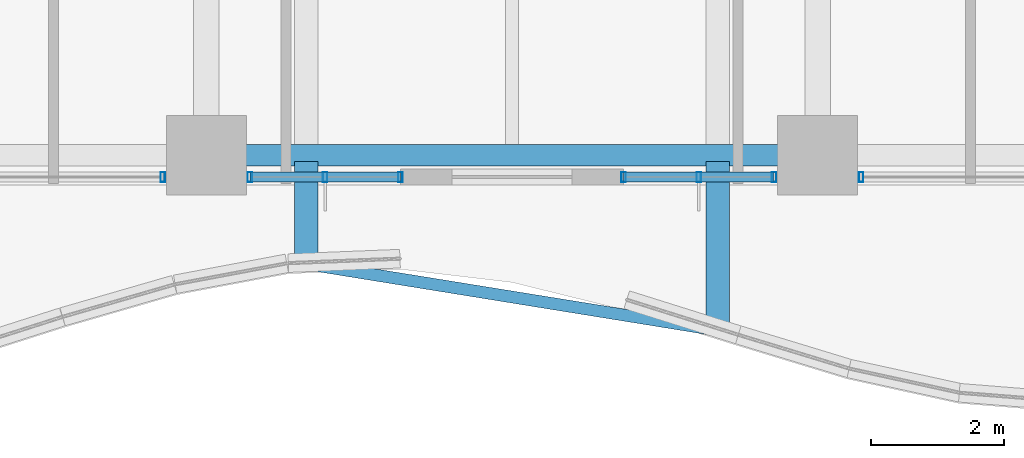
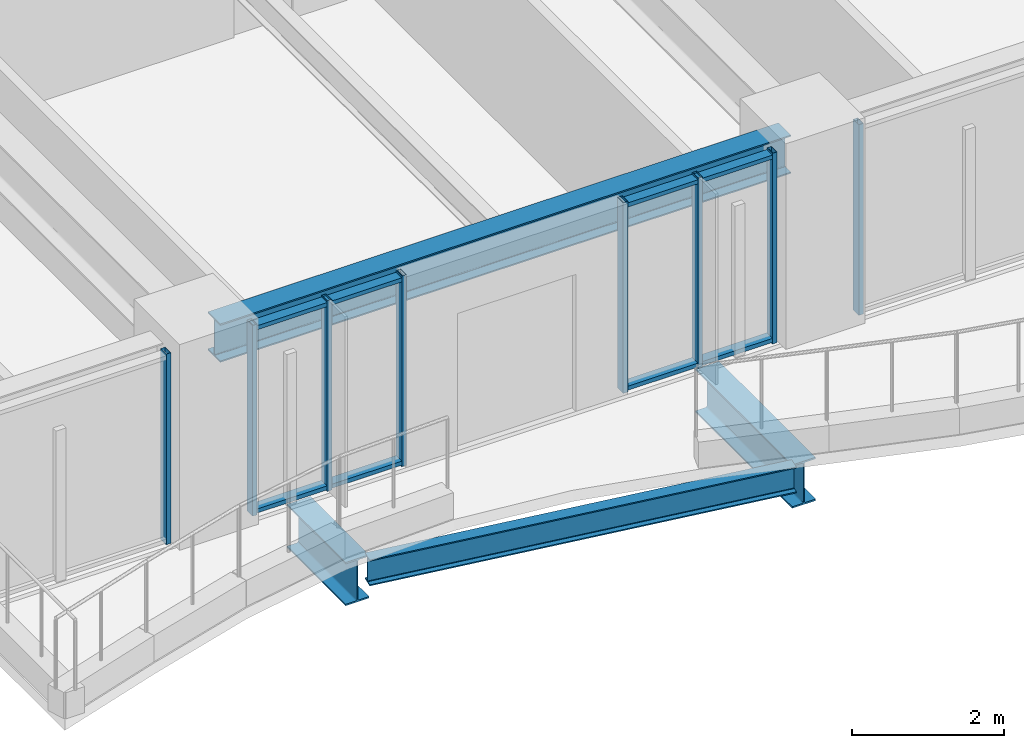
# One storey, part 5 of 38: 12 members, 4 beams, 4 elements without a shape of their own.
"""IFC4 building model written with IfcOpenShell, lengths in metres."""

from ifc_helpers import new_model, si_unit, direction, frame, origin, origin_2d, place, context, subcontext, project, spatial, hollow_rectangle, i_section, extrude, material, material_profile, profile_set, type_object, element, aggregate, save


model = new_model("IFC4")

# Units and contexts
model_context = context("Model", 3, precision=1e-05, world=origin(), true_north=direction((0.0, 1.0)))
body_context = subcontext(model_context, "Body", "Model", "MODEL_VIEW")
ifc_project = project(units=[si_unit("LENGTHUNIT", "METRE"), si_unit("AREAUNIT", "SQUARE_METRE"), si_unit("VOLUMEUNIT", "CUBIC_METRE"), si_unit("PLANEANGLEUNIT", "RADIAN"), si_unit("MASSUNIT", "GRAM", prefix="KILO")], contexts=[model_context])

# Site, building, storey
site_placement = place(None, origin())
site = spatial("IfcSite", under=ifc_project, at=site_placement, CompositionType="ELEMENT")
building_placement = place(site_placement, origin())
building = spatial("IfcBuilding", under=site, at=building_placement, Name="Kolvaren Belvedere", CompositionType="ELEMENT")
storey_placement = place(building_placement, frame((0.0, 0.0, 27.10009765625)))
storey = spatial("IfcBuildingStorey", under=building, at=storey_placement, Name="L07", CompositionType="ELEMENT", Elevation=27.10009765625)

# Beams
ifc_material_1 = material(Name="Structural steel ASTM A992 Grade 50", Category="steel")
ifc_material_profile_1 = material_profile(ifc_material_1, i_section(OverallWidth=0.35498046875, OverallDepth=0.696044921875, WebThickness=0.015380859375, FlangeThickness=0.02490234375, FilletRadius=0.02197265625, at=origin_2d()), Name="W27X146")
ifc_profile_set_1 = profile_set([ifc_material_profile_1], Name="Structural steel ASTM A992 Grade 50")
beam_type_1 = type_object("IfcBeamType", Name="BM-CANT-BAL", PredefinedType="BEAM", material=ifc_profile_set_1)
beam_1_placement = place(storey_placement, frame((-3.10009765625, -21.64501953125, -0.588134765625), z_axis=(0.0, -1.0, 0.0), x_axis=(1.0, 0.0, 0.0)))
element("IfcBeam", 1, at=beam_1_placement, inside=storey, type_object=beam_type_1, Name="L07 Planted Balcony Cantilever BAL-S-1", PredefinedType="BEAM", context=body_context, shape_type="SweptSolid", body=[
    extrude(i_section(OverallWidth=0.35498046875, OverallDepth=0.696044921875, WebThickness=0.015380859375, FlangeThickness=0.02490234375, FilletRadius=0.02197265625, at=origin_2d()), origin(), (0.0, 0.0, 1.0), 1.540283203125),
])
beam_2_placement = place(storey_placement, frame((3.10009765625, -21.64501953125, -0.588134765625), z_axis=(0.0, -1.0, 0.0), x_axis=(1.0, 0.0, 0.0)))
element("IfcBeam", 2, at=beam_2_placement, inside=storey, type_object=beam_type_1, Name="L07 Planted Balcony Cantilever BAL-S-2", PredefinedType="BEAM", context=body_context, shape_type="SweptSolid", body=[
    extrude(i_section(OverallWidth=0.35498046875, OverallDepth=0.696044921875, WebThickness=0.015380859375, FlangeThickness=0.02490234375, FilletRadius=0.02197265625, at=origin_2d()), origin(), (0.0, 0.0, 1.0), 2.541259765625),
])
ifc_material_2 = material(Name="Structural steel ASTM A992 Grade 50", Category="steel")
ifc_material_profile_2 = material_profile(ifc_material_2, i_section(OverallWidth=0.180908203125, OverallDepth=0.4169921875, WebThickness=0.010986328125, FlangeThickness=0.018310546875, FilletRadius=0.013916015625, at=origin_2d()), Name="W16X57")
ifc_profile_set_2 = profile_set([ifc_material_profile_2], Name="Structural steel ASTM A992 Grade 50")
beam_type_2 = type_object("IfcBeamType", Name="BM-EDGE-W16X57", PredefinedType="BEAM", material=ifc_profile_set_2)
beam_3_placement = place(storey_placement, frame((-2.9619140625, -23.207763671875, -0.448486328125), z_axis=(0.9872254354, -0.159329657312, 0.0), x_axis=(0.159329657312, 0.9872254354, 0.0)))
element("IfcBeam", 3, at=beam_3_placement, inside=storey, type_object=beam_type_2, Name="L07 Balcony Tip Header Beam BAL-S", PredefinedType="BEAM", context=body_context, shape_type="SweptSolid", body=[
    extrude(i_section(OverallWidth=0.180908203125, OverallDepth=0.4169921875, WebThickness=0.010986328125, FlangeThickness=0.018310546875, FilletRadius=0.013916015625, at=origin_2d()), origin(), (0.0, 0.0, 1.0), 6.00048828125),
])
ifc_material_3 = material(Name="Structural steel ASTM A992 Grade 50", Category="steel")
ifc_material_profile_3 = material_profile(ifc_material_3, i_section(OverallWidth=0.324951171875, OverallDepth=0.615966796875, WebThickness=0.013916015625, FlangeThickness=0.021484375, FilletRadius=0.02001953125, at=origin_2d()), Name="W24X117")
ifc_profile_set_3 = profile_set([ifc_material_profile_3], Name="Structural steel ASTM A992 Grade 50")
beam_type_3 = type_object("IfcBeamType", Name="BM-SPAN-W24X117", PredefinedType="SPANDREL", material=ifc_profile_set_3)
beam_4_placement = place(storey_placement, frame((-4.330078125, -21.550048828125, 2.751953125), z_axis=(1.0, 0.0, 0.0), x_axis=(0.0, 1.0, 0.0)))
element("IfcBeam", 4, at=beam_4_placement, inside=storey, type_object=beam_type_3, Name="L07 Perimeter Spandrel S2-S3", PredefinedType="SPANDREL", context=body_context, shape_type="SweptSolid", body=[
    extrude(i_section(OverallWidth=0.324951171875, OverallDepth=0.615966796875, WebThickness=0.013916015625, FlangeThickness=0.021484375, FilletRadius=0.02001953125, at=origin_2d()), origin(), (0.0, 0.0, 1.0), 8.66015625),
])

# Curtain wall, member
ifc_material_4 = material(Name="Anodised pale-metal aluminium AA 6063-T6", Category="aluminium")
curtain_wall_type = type_object("IfcCurtainWallType", Name="CW-Z1-LOW", PredefinedType="NOTDEFINED", material=ifc_material_4)
curtain_wall_1_placement = place(storey_placement, origin())
curtain_wall_1 = element("IfcCurtainWall", 5, at=curtain_wall_1_placement, inside=storey, type_object=curtain_wall_type, Name="L07 Unitised Curtain Wall FCW-L07-S1-B1", PredefinedType="NOTDEFINED")
ifc_material_5 = material(Name="Anodised pale-metal aluminium AA 6063-T6", Category="aluminium")
ifc_material_profile_4 = material_profile(ifc_material_5, hollow_rectangle(XDim=0.070068359375, YDim=0.14990234375, WallThickness=0.004150390625, at=origin_2d()), Name="ALU-MUL-150X70")
ifc_profile_set_4 = profile_set([ifc_material_profile_4], Name="Anodised pale-metal aluminium AA 6063-T6")
member_type_1 = type_object("IfcMemberType", Name="CW-MUL-150", PredefinedType="MULLION", material=ifc_profile_set_4)
member_1_placement = place(storey_placement, frame((5.2548828125, -21.8798828125, 0.0), z_axis=(0.0, 0.0, 1.0), x_axis=(1.0, 0.0, 0.0)))
member_1 = element("IfcMember", 6, at=member_1_placement, type_object=member_type_1, Name="FCW-L07-S1-B1 Unitised Mullion 3", PredefinedType="MULLION", context=body_context, shape_type="SweptSolid", body=[
    extrude(hollow_rectangle(XDim=0.070068359375, YDim=0.14990234375, WallThickness=0.004150390625, at=origin_2d()), origin(), (0.0, 0.0, 1.0), 3.059814453125),
])
aggregate(curtain_wall_1, [member_1])

# Curtain wall, members
curtain_wall_2_placement = place(storey_placement, origin())
curtain_wall_2 = element("IfcCurtainWall", 7, at=curtain_wall_2_placement, inside=storey, type_object=curtain_wall_type, Name="L07 Unitised Curtain Wall FCW-L07-S1-B2", PredefinedType="NOTDEFINED")
member_2_placement = place(storey_placement, frame((3.945068359375, -21.8798828125, 0.0), z_axis=(0.0, 0.0, 1.0), x_axis=(1.0, 0.0, 0.0)))
member_2 = element("IfcMember", 8, at=member_2_placement, type_object=member_type_1, Name="FCW-L07-S1-B2 Unitised Mullion 1", PredefinedType="MULLION", context=body_context, shape_type="SweptSolid", body=[
    extrude(hollow_rectangle(XDim=0.070068359375, YDim=0.14990234375, WallThickness=0.004150390625, at=origin_2d()), origin(), (0.0, 0.0, 1.0), 3.059814453125),
])
member_3_placement = place(storey_placement, frame((2.8125, -21.8798828125, 0.0), z_axis=(0.0, 0.0, 1.0), x_axis=(1.0, 0.0, 0.0)))
member_3 = element("IfcMember", 9, at=member_3_placement, type_object=member_type_1, Name="FCW-L07-S1-B2 Unitised Mullion 2", PredefinedType="MULLION", context=body_context, shape_type="SweptSolid", body=[
    extrude(hollow_rectangle(XDim=0.070068359375, YDim=0.14990234375, WallThickness=0.004150390625, at=origin_2d()), origin(), (0.0, 0.0, 1.0), 3.059814453125),
])
member_4_placement = place(storey_placement, frame((1.679931640625, -21.8798828125, 0.0), z_axis=(0.0, 0.0, 1.0), x_axis=(1.0, 0.0, 0.0)))
member_4 = element("IfcMember", 10, at=member_4_placement, type_object=member_type_1, Name="FCW-L07-S1-B2 Unitised Mullion 3", PredefinedType="MULLION", context=body_context, shape_type="SweptSolid", body=[
    extrude(hollow_rectangle(XDim=0.070068359375, YDim=0.14990234375, WallThickness=0.004150390625, at=origin_2d()), origin(), (0.0, 0.0, 1.0), 3.059814453125),
])

curtain_wall_3_placement = place(storey_placement, origin())
curtain_wall_3 = element("IfcCurtainWall", 11, at=curtain_wall_3_placement, inside=storey, type_object=curtain_wall_type, Name="L07 Unitised Curtain Wall FCW-L07-S2-B1", PredefinedType="NOTDEFINED")
member_5_placement = place(storey_placement, frame((-1.679931640625, -21.8798828125, 0.0), z_axis=(0.0, 0.0, 1.0), x_axis=(1.0, 0.0, 0.0)))
member_5 = element("IfcMember", 12, at=member_5_placement, type_object=member_type_1, Name="FCW-L07-S2-B1 Unitised Mullion 1", PredefinedType="MULLION", context=body_context, shape_type="SweptSolid", body=[
    extrude(hollow_rectangle(XDim=0.070068359375, YDim=0.14990234375, WallThickness=0.004150390625, at=origin_2d()), origin(), (0.0, 0.0, 1.0), 3.059814453125),
])
member_6_placement = place(storey_placement, frame((-2.8125, -21.8798828125, 0.0), z_axis=(0.0, 0.0, 1.0), x_axis=(1.0, 0.0, 0.0)))
member_6 = element("IfcMember", 13, at=member_6_placement, type_object=member_type_1, Name="FCW-L07-S2-B1 Unitised Mullion 2", PredefinedType="MULLION", context=body_context, shape_type="SweptSolid", body=[
    extrude(hollow_rectangle(XDim=0.070068359375, YDim=0.14990234375, WallThickness=0.004150390625, at=origin_2d()), origin(), (0.0, 0.0, 1.0), 3.059814453125),
])
member_7_placement = place(storey_placement, frame((-3.945068359375, -21.8798828125, 0.0), z_axis=(0.0, 0.0, 1.0), x_axis=(1.0, 0.0, 0.0)))
member_7 = element("IfcMember", 14, at=member_7_placement, type_object=member_type_1, Name="FCW-L07-S2-B1 Unitised Mullion 3", PredefinedType="MULLION", context=body_context, shape_type="SweptSolid", body=[
    extrude(hollow_rectangle(XDim=0.070068359375, YDim=0.14990234375, WallThickness=0.004150390625, at=origin_2d()), origin(), (0.0, 0.0, 1.0), 3.059814453125),
])

# Curtain wall, member
curtain_wall_4_placement = place(storey_placement, origin())
curtain_wall_4 = element("IfcCurtainWall", 15, at=curtain_wall_4_placement, inside=storey, type_object=curtain_wall_type, Name="L07 Unitised Curtain Wall FCW-L07-S2-B2", PredefinedType="NOTDEFINED")
member_8_placement = place(storey_placement, frame((-5.2548828125, -21.8798828125, 0.0), z_axis=(0.0, 0.0, 1.0), x_axis=(1.0, 0.0, 0.0)))
member_8 = element("IfcMember", 16, at=member_8_placement, type_object=member_type_1, Name="FCW-L07-S2-B2 Unitised Mullion 1", PredefinedType="MULLION", context=body_context, shape_type="SweptSolid", body=[
    extrude(hollow_rectangle(XDim=0.070068359375, YDim=0.14990234375, WallThickness=0.004150390625, at=origin_2d()), origin(), (0.0, 0.0, 1.0), 3.059814453125),
])
aggregate(curtain_wall_4, [member_8])

# Member
ifc_material_6 = material(Name="Anodised pale-metal aluminium AA 6063-T6", Category="aluminium")
ifc_material_profile_5 = material_profile(ifc_material_6, hollow_rectangle(XDim=0.06494140625, YDim=0.14990234375, WallThickness=0.00390625, at=origin_2d()), Name="ALU-TRN-150X65")
ifc_profile_set_5 = profile_set([ifc_material_profile_5], Name="Anodised pale-metal aluminium AA 6063-T6")
member_type_2 = type_object("IfcMemberType", Name="CW-TRN-150", PredefinedType="USERDEFINED", material=ifc_profile_set_5)
member_9_placement = place(storey_placement, frame((3.945068359375, -21.8798828125, 0.059814453125), z_axis=(-1.0, 0.0, 0.0), x_axis=(0.0, 0.0, 1.0)))
member_9 = element("IfcMember", 17, at=member_9_placement, type_object=member_type_2, Name="FCW-L07-S1-B2 Sill Transom", ObjectType="TRANSOM", PredefinedType="USERDEFINED", context=body_context, shape_type="SweptSolid", body=[
    extrude(hollow_rectangle(XDim=0.06494140625, YDim=0.14990234375, WallThickness=0.00390625, at=origin_2d()), origin(), (0.0, 0.0, 1.0), 2.26513671875),
])

member_10_placement = place(storey_placement, frame((3.945068359375, -21.8798828125, 3.0), z_axis=(-1.0, 0.0, 0.0), x_axis=(0.0, 0.0, 1.0)))
member_10 = element("IfcMember", 18, at=member_10_placement, type_object=member_type_2, Name="FCW-L07-S1-B2 Head Transom", ObjectType="TRANSOM", PredefinedType="USERDEFINED", context=body_context, shape_type="SweptSolid", body=[
    extrude(hollow_rectangle(XDim=0.06494140625, YDim=0.14990234375, WallThickness=0.00390625, at=origin_2d()), origin(), (0.0, 0.0, 1.0), 2.26513671875),
])

aggregate(curtain_wall_2, [member_2, member_3, member_4, member_9, member_10])

member_11_placement = place(storey_placement, frame((-1.679931640625, -21.8798828125, 0.059814453125), z_axis=(-1.0, 0.0, 0.0), x_axis=(0.0, 0.0, 1.0)))
member_11 = element("IfcMember", 19, at=member_11_placement, type_object=member_type_2, Name="FCW-L07-S2-B1 Sill Transom", ObjectType="TRANSOM", PredefinedType="USERDEFINED", context=body_context, shape_type="SweptSolid", body=[
    extrude(hollow_rectangle(XDim=0.06494140625, YDim=0.14990234375, WallThickness=0.00390625, at=origin_2d()), origin(), (0.0, 0.0, 1.0), 2.26513671875),
])

member_12_placement = place(storey_placement, frame((-1.679931640625, -21.8798828125, 3.0), z_axis=(-1.0, 0.0, 0.0), x_axis=(0.0, 0.0, 1.0)))
member_12 = element("IfcMember", 20, at=member_12_placement, type_object=member_type_2, Name="FCW-L07-S2-B1 Head Transom", ObjectType="TRANSOM", PredefinedType="USERDEFINED", context=body_context, shape_type="SweptSolid", body=[
    extrude(hollow_rectangle(XDim=0.06494140625, YDim=0.14990234375, WallThickness=0.00390625, at=origin_2d()), origin(), (0.0, 0.0, 1.0), 2.26513671875),
])

aggregate(curtain_wall_3, [member_5, member_6, member_7, member_11, member_12])

save(model, "model.ifc")
